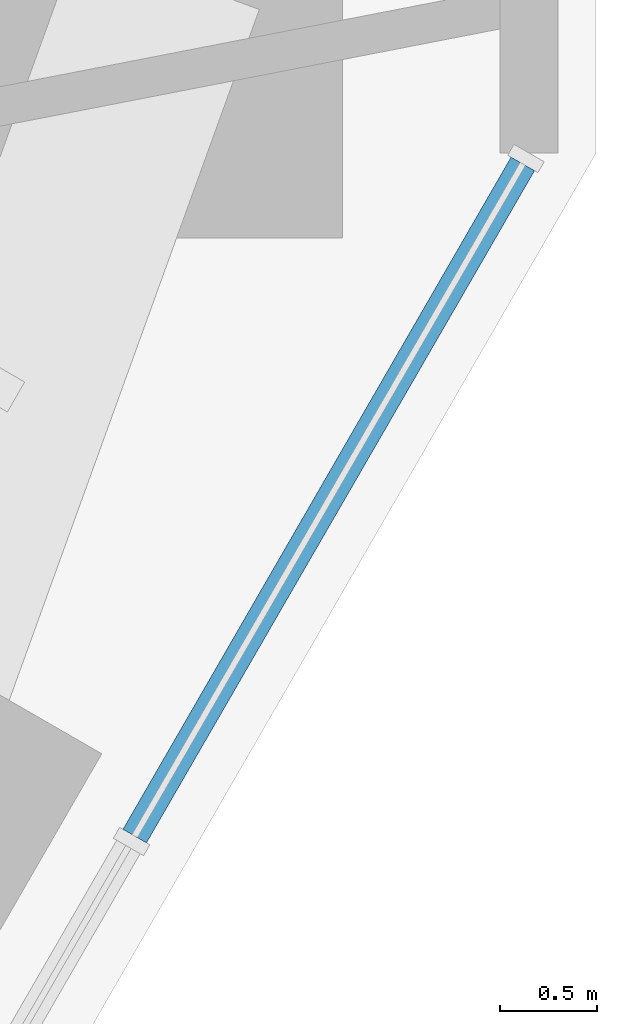
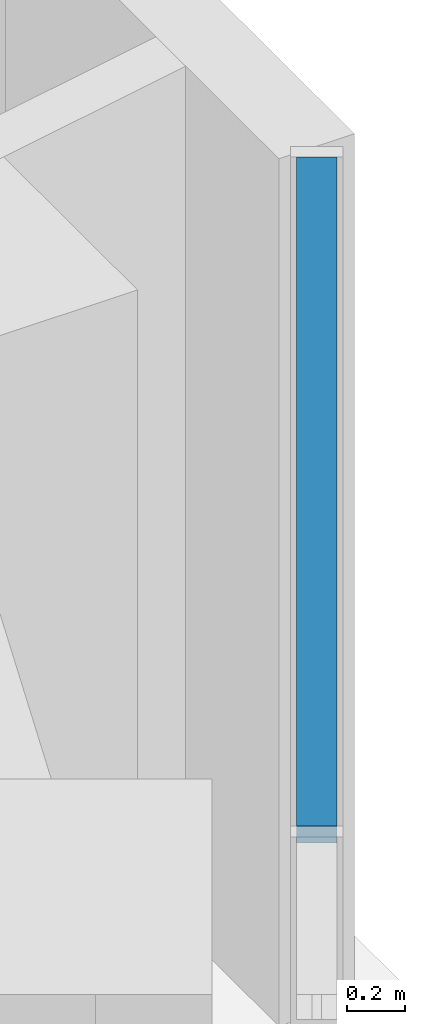
# One storey, part 6 of 17: 1 member, 1 element without a shape of its own.
"""IFC4 building model written with IfcOpenShell, lengths in metres."""

from ifc_helpers import new_model, si_unit, direction, frame, origin, origin_2d, place, context, subcontext, project, spatial, rectangle, extrude, material, material_profile, profile_set, type_object, element, aggregate, save


model = new_model("IFC4")

# Units and contexts
model_context = context("Model", 3, precision=1e-05, world=origin(), true_north=direction((0.0, 1.0)))
body_context = subcontext(model_context, "Body", "Model", "MODEL_VIEW")
ifc_project = project(units=[si_unit("LENGTHUNIT", "METRE"), si_unit("AREAUNIT", "SQUARE_METRE"), si_unit("VOLUMEUNIT", "CUBIC_METRE"), si_unit("PLANEANGLEUNIT", "RADIAN"), si_unit("MASSUNIT", "GRAM", prefix="KILO")], contexts=[model_context])

# Site, building, storey
site_placement = place(None, origin())
site = spatial("IfcSite", under=ifc_project, at=site_placement, CompositionType="ELEMENT")
building_placement = place(site_placement, origin())
building = spatial("IfcBuilding", under=site, at=building_placement, Name="Sandreach Pilgrim Tower", CompositionType="ELEMENT")
storey_placement = place(building_placement, frame((0.0, 0.0, 146.199951171875)))
storey = spatial("IfcBuildingStorey", under=building, at=storey_placement, Name="L36", CompositionType="ELEMENT", Elevation=146.199951171875)

# Curtain wall, member
ifc_material_1 = material(Name="Aluminium framed curtain wall", Category="aluminium")
curtain_wall_type = type_object("IfcCurtainWallType", Name="Hotel tower curtain wall", PredefinedType="NOTDEFINED", material=ifc_material_1)
curtain_wall_placement = place(storey_placement, origin())
curtain_wall = element("IfcCurtainWall", 1, at=curtain_wall_placement, inside=storey, type_object=curtain_wall_type, Name="CW-2 L36 SE", PredefinedType="NOTDEFINED")
ifc_material_2 = material(Name="Aluminium extrusion", Category="aluminium")
ifc_material_profile = material_profile(ifc_material_2, rectangle(XDim=0.139892578125, YDim=0.070068359375, at=origin_2d()), Name="CW-2T 140X70")
ifc_profile_set = profile_set([ifc_material_profile], Name="Aluminium extrusion")
member_type = type_object("IfcMemberType", Name="CW-2 transom", PredefinedType="USERDEFINED", material=ifc_profile_set)
member_placement = place(storey_placement, frame((28.6884765625, 4.7021484375, 3.60498046875), z_axis=(-0.500015851672, -0.866016251624, 0.0), x_axis=(0.866016251624, -0.500015851672, 0.0)))
member = element("IfcMember", 2, at=member_placement, type_object=member_type, Name="CW-2 head transom 1", ObjectType="TRANSOM", PredefinedType="USERDEFINED", context=body_context, shape_type="SweptSolid", body=[
    extrude(rectangle(XDim=0.139892578125, YDim=0.070068359375, at=origin_2d()), origin(), (0.0, 0.0, 1.0), 4.009521484375),
])
aggregate(curtain_wall, [member])

save(model, "model.ifc")
